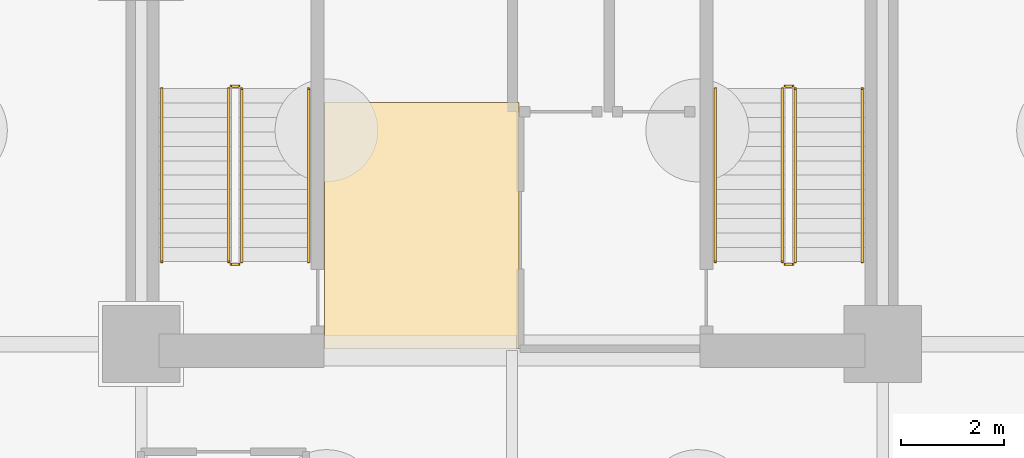
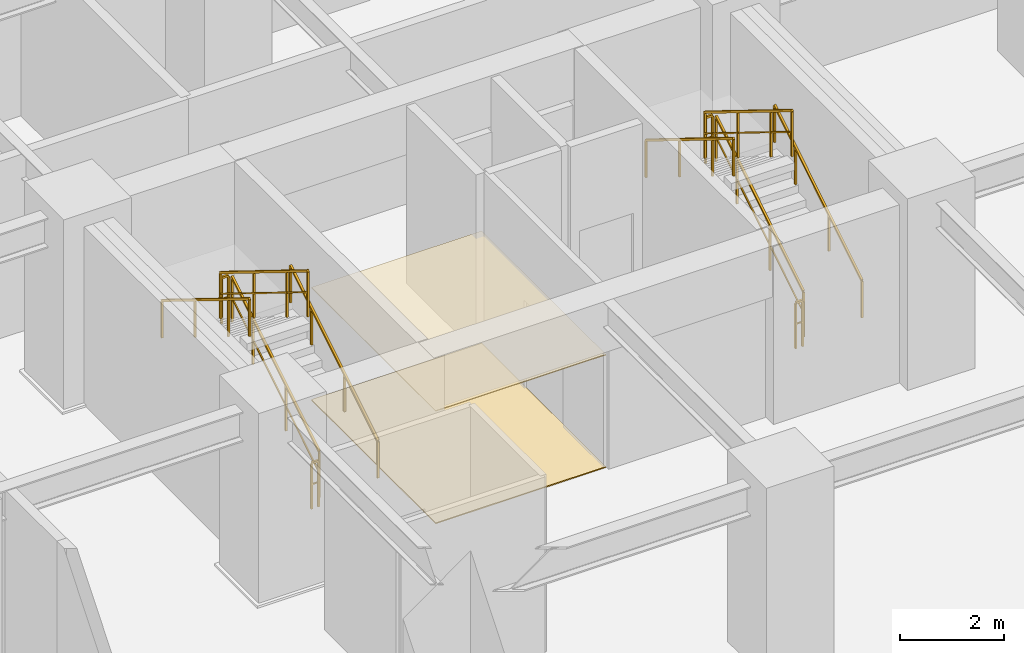
# One storey, part 11 of 11: 12 railings, 2 coverings.
"""IFC4 building model written with IfcOpenShell, lengths in metres."""

from ifc_helpers import new_model, si_unit, direction, frame, origin, origin_2d, place, context, subcontext, project, spatial, rectangle, extrude, source, transform, mapped, material, layer, layer_set, type_object, element, save


model = new_model("IFC4")

# Units and contexts
model_context = context("Model", 3, precision=1e-05, world=origin(), true_north=direction((0.0, 1.0)))
body_context = subcontext(model_context, "Body", "Model", "MODEL_VIEW")
ifc_project = project(units=[si_unit("LENGTHUNIT", "METRE"), si_unit("AREAUNIT", "SQUARE_METRE"), si_unit("VOLUMEUNIT", "CUBIC_METRE"), si_unit("PLANEANGLEUNIT", "RADIAN"), si_unit("MASSUNIT", "GRAM", prefix="KILO")], contexts=[model_context])

# Site, building, storey
site_placement = place(None, origin())
site = spatial("IfcSite", under=ifc_project, at=site_placement, CompositionType="ELEMENT")
building_placement = place(site_placement, origin())
building = spatial("IfcBuilding", under=site, at=building_placement, Name="Kaliganga Portal Commons", CompositionType="ELEMENT")
storey_placement = place(building_placement, frame((0.0, 0.0, -9.0)))
storey = spatial("IfcBuildingStorey", under=building, at=storey_placement, Name="B2", CompositionType="ELEMENT", Elevation=-9.0)

# Railings
ifc_material_1 = material(Name="Galvanized Painted Steel Balustrade", Category="steel")
railing_type_1 = type_object("IfcRailingType", Name="RLG-STAIR-GRD", PredefinedType="GUARDRAIL", material=ifc_material_1)
railing_1_placement = place(storey_placement, frame((16.35009765625, 30.25, 0.173095703125)))
element("IfcRailing", 1, at=railing_1_placement, inside=storey, type_object=railing_type_1, Name="B2 ST-A1 stair guard 1", PredefinedType="GUARDRAIL", context=body_context, shape_type="SweptSolid", body=[
    extrude(rectangle(XDim=0.048095703125, YDim=0.048095703125, at=origin_2d()), frame((0.0, 0.0, 1.07177734375), z_axis=(0.0, 0.850623216509, 0.525775754039), x_axis=(-1.0, 0.0, 0.0)), (0.0, 0.0, 1.0), 3.9501953125),
    extrude(rectangle(XDim=0.028076171875, YDim=0.028076171875, at=origin_2d()), frame((0.0, 0.0, 0.572021484375), z_axis=(0.0, 0.850623216509, 0.525775754039), x_axis=(-1.0, 0.0, 0.0)), (0.0, 0.0, 1.0), 3.9501953125),
    extrude(rectangle(XDim=0.0419921875, YDim=0.0419921875, at=origin_2d()), origin(), (0.0, 0.0, 1.0), 1.052001953125),
    extrude(rectangle(XDim=0.0419921875, YDim=0.0419921875, at=origin_2d()), frame((0.0, 1.27587890625, 0.78857421875)), (0.0, 0.0, 1.0), 1.052001953125),
    extrude(rectangle(XDim=0.0419921875, YDim=0.0419921875, at=origin_2d()), frame((0.0, 2.5517578125, 1.577392578125)), (0.0, 0.0, 1.0), 1.052001953125),
    extrude(rectangle(XDim=0.0419921875, YDim=0.0419921875, at=origin_2d()), frame((0.0, 3.360107421875, 2.076904296875)), (0.0, 0.0, 1.0), 1.052001953125),
])
railing_2_placement = place(storey_placement, frame((16.300048828125, 33.659912109375, 2.25)))
element("IfcRailing", 2, at=railing_2_placement, inside=storey, type_object=railing_type_1, Name="B2 ST-A1 stair guard 2", PredefinedType="GUARDRAIL", context=body_context, shape_type="SweptSolid", body=[
    extrude(rectangle(XDim=0.048095703125, YDim=0.048095703125, at=origin_2d()), frame((0.0, 0.0, 1.076171875), z_axis=(-1.0, 0.0, 0.0), x_axis=(0.0, -1.0, 0.0)), (0.0, 0.0, 1.0), 0.150146484375),
    extrude(rectangle(XDim=0.028076171875, YDim=0.028076171875, at=origin_2d()), frame((0.0, 0.0, 0.572021484375), z_axis=(-1.0, 0.0, 0.0), x_axis=(0.0, -1.0, 0.0)), (0.0, 0.0, 1.0), 0.150146484375),
    extrude(rectangle(XDim=0.0419921875, YDim=0.0419921875, at=origin_2d()), origin(), (0.0, 0.0, 1.0), 1.052001953125),
    extrude(rectangle(XDim=0.0419921875, YDim=0.0419921875, at=origin_2d()), frame((-0.150146484375, 0.0, 0.0)), (0.0, 0.0, 1.0), 1.052001953125),
])
railing_3_placement = place(storey_placement, frame((16.10009765625, 33.610107421875, 2.423095703125)))
element("IfcRailing", 3, at=railing_3_placement, inside=storey, type_object=railing_type_1, Name="B2 ST-A1 stair guard 3", PredefinedType="GUARDRAIL", context=body_context, shape_type="SweptSolid", body=[
    extrude(rectangle(XDim=0.048095703125, YDim=0.048095703125, at=origin_2d()), frame((0.0, 0.0, 1.07177734375), z_axis=(0.0, -0.850623216509, 0.525775754039), x_axis=(1.0, 0.0, 0.0)), (0.0, 0.0, 1.0), 3.9501953125),
    extrude(rectangle(XDim=0.028076171875, YDim=0.028076171875, at=origin_2d()), frame((0.0, 0.0, 0.572021484375), z_axis=(0.0, -0.850623216509, 0.525775754039), x_axis=(1.0, 0.0, 0.0)), (0.0, 0.0, 1.0), 3.9501953125),
    extrude(rectangle(XDim=0.0419921875, YDim=0.0419921875, at=origin_2d()), origin(), (0.0, 0.0, 1.0), 1.052001953125),
    extrude(rectangle(XDim=0.0419921875, YDim=0.0419921875, at=origin_2d()), frame((0.0, -1.27587890625, 0.78857421875)), (0.0, 0.0, 1.0), 1.052001953125),
    extrude(rectangle(XDim=0.0419921875, YDim=0.0419921875, at=origin_2d()), frame((0.0, -2.5517578125, 1.577392578125)), (0.0, 0.0, 1.0), 1.052001953125),
    extrude(rectangle(XDim=0.0419921875, YDim=0.0419921875, at=origin_2d()), frame((0.0, -3.360107421875, 2.076904296875)), (0.0, 0.0, 1.0), 1.052001953125),
])
railing_4_placement = place(storey_placement, frame((16.300048828125, 30.199951171875, 0.0)))
element("IfcRailing", 4, at=railing_4_placement, inside=storey, type_object=railing_type_1, Name="B2 ST-A1 stair guard 4", PredefinedType="GUARDRAIL", context=body_context, shape_type="SweptSolid", body=[
    extrude(rectangle(XDim=0.048095703125, YDim=0.048095703125, at=origin_2d()), frame((0.0, 0.0, 1.076171875), z_axis=(-1.0, 0.0, 0.0), x_axis=(0.0, -1.0, 0.0)), (0.0, 0.0, 1.0), 0.150146484375),
    extrude(rectangle(XDim=0.028076171875, YDim=0.028076171875, at=origin_2d()), frame((0.0, 0.0, 0.572021484375), z_axis=(-1.0, 0.0, 0.0), x_axis=(0.0, -1.0, 0.0)), (0.0, 0.0, 1.0), 0.150146484375),
    extrude(rectangle(XDim=0.0419921875, YDim=0.0419921875, at=origin_2d()), origin(), (0.0, 0.0, 1.0), 1.052001953125),
    extrude(rectangle(XDim=0.0419921875, YDim=0.0419921875, at=origin_2d()), frame((-0.150146484375, 0.0, 0.0)), (0.0, 0.0, 1.0), 1.052001953125),
])
railing_5_placement = place(storey_placement, frame((27.10009765625, 30.25, 0.173095703125)))
element("IfcRailing", 5, at=railing_5_placement, inside=storey, type_object=railing_type_1, Name="B2 ST-A2 stair guard 1", PredefinedType="GUARDRAIL", context=body_context, shape_type="SweptSolid", body=[
    extrude(rectangle(XDim=0.048095703125, YDim=0.048095703125, at=origin_2d()), frame((0.0, 0.0, 1.07177734375), z_axis=(0.0, 0.850623216509, 0.525775754039), x_axis=(-1.0, 0.0, 0.0)), (0.0, 0.0, 1.0), 3.9501953125),
    extrude(rectangle(XDim=0.028076171875, YDim=0.028076171875, at=origin_2d()), frame((0.0, 0.0, 0.572021484375), z_axis=(0.0, 0.850623216509, 0.525775754039), x_axis=(-1.0, 0.0, 0.0)), (0.0, 0.0, 1.0), 3.9501953125),
    extrude(rectangle(XDim=0.0419921875, YDim=0.0419921875, at=origin_2d()), origin(), (0.0, 0.0, 1.0), 1.052001953125),
    extrude(rectangle(XDim=0.0419921875, YDim=0.0419921875, at=origin_2d()), frame((0.0, 1.27587890625, 0.78857421875)), (0.0, 0.0, 1.0), 1.052001953125),
    extrude(rectangle(XDim=0.0419921875, YDim=0.0419921875, at=origin_2d()), frame((0.0, 2.5517578125, 1.577392578125)), (0.0, 0.0, 1.0), 1.052001953125),
    extrude(rectangle(XDim=0.0419921875, YDim=0.0419921875, at=origin_2d()), frame((0.0, 3.360107421875, 2.076904296875)), (0.0, 0.0, 1.0), 1.052001953125),
])
railing_6_placement = place(storey_placement, frame((27.050048828125, 33.659912109375, 2.25)))
element("IfcRailing", 6, at=railing_6_placement, inside=storey, type_object=railing_type_1, Name="B2 ST-A2 stair guard 2", PredefinedType="GUARDRAIL", context=body_context, shape_type="SweptSolid", body=[
    extrude(rectangle(XDim=0.048095703125, YDim=0.048095703125, at=origin_2d()), frame((0.0, 0.0, 1.076171875), z_axis=(-1.0, 0.0, 0.0), x_axis=(0.0, -1.0, 0.0)), (0.0, 0.0, 1.0), 0.150146484375),
    extrude(rectangle(XDim=0.028076171875, YDim=0.028076171875, at=origin_2d()), frame((0.0, 0.0, 0.572021484375), z_axis=(-1.0, 0.0, 0.0), x_axis=(0.0, -1.0, 0.0)), (0.0, 0.0, 1.0), 0.150146484375),
    extrude(rectangle(XDim=0.0419921875, YDim=0.0419921875, at=origin_2d()), origin(), (0.0, 0.0, 1.0), 1.052001953125),
    extrude(rectangle(XDim=0.0419921875, YDim=0.0419921875, at=origin_2d()), frame((-0.150146484375, 0.0, 0.0)), (0.0, 0.0, 1.0), 1.052001953125),
])
railing_7_placement = place(storey_placement, frame((26.85009765625, 33.610107421875, 2.423095703125)))
element("IfcRailing", 7, at=railing_7_placement, inside=storey, type_object=railing_type_1, Name="B2 ST-A2 stair guard 3", PredefinedType="GUARDRAIL", context=body_context, shape_type="SweptSolid", body=[
    extrude(rectangle(XDim=0.048095703125, YDim=0.048095703125, at=origin_2d()), frame((0.0, 0.0, 1.07177734375), z_axis=(0.0, -0.850623216509, 0.525775754039), x_axis=(1.0, 0.0, 0.0)), (0.0, 0.0, 1.0), 3.9501953125),
    extrude(rectangle(XDim=0.028076171875, YDim=0.028076171875, at=origin_2d()), frame((0.0, 0.0, 0.572021484375), z_axis=(0.0, -0.850623216509, 0.525775754039), x_axis=(1.0, 0.0, 0.0)), (0.0, 0.0, 1.0), 3.9501953125),
    extrude(rectangle(XDim=0.0419921875, YDim=0.0419921875, at=origin_2d()), origin(), (0.0, 0.0, 1.0), 1.052001953125),
    extrude(rectangle(XDim=0.0419921875, YDim=0.0419921875, at=origin_2d()), frame((0.0, -1.27587890625, 0.78857421875)), (0.0, 0.0, 1.0), 1.052001953125),
    extrude(rectangle(XDim=0.0419921875, YDim=0.0419921875, at=origin_2d()), frame((0.0, -2.5517578125, 1.577392578125)), (0.0, 0.0, 1.0), 1.052001953125),
    extrude(rectangle(XDim=0.0419921875, YDim=0.0419921875, at=origin_2d()), frame((0.0, -3.360107421875, 2.076904296875)), (0.0, 0.0, 1.0), 1.052001953125),
])
railing_8_placement = place(storey_placement, frame((27.050048828125, 30.199951171875, 0.0)))
element("IfcRailing", 8, at=railing_8_placement, inside=storey, type_object=railing_type_1, Name="B2 ST-A2 stair guard 4", PredefinedType="GUARDRAIL", context=body_context, shape_type="SweptSolid", body=[
    extrude(rectangle(XDim=0.048095703125, YDim=0.048095703125, at=origin_2d()), frame((0.0, 0.0, 1.076171875), z_axis=(-1.0, 0.0, 0.0), x_axis=(0.0, -1.0, 0.0)), (0.0, 0.0, 1.0), 0.150146484375),
    extrude(rectangle(XDim=0.028076171875, YDim=0.028076171875, at=origin_2d()), frame((0.0, 0.0, 0.572021484375), z_axis=(-1.0, 0.0, 0.0), x_axis=(0.0, -1.0, 0.0)), (0.0, 0.0, 1.0), 0.150146484375),
    extrude(rectangle(XDim=0.0419921875, YDim=0.0419921875, at=origin_2d()), origin(), (0.0, 0.0, 1.0), 1.052001953125),
    extrude(rectangle(XDim=0.0419921875, YDim=0.0419921875, at=origin_2d()), frame((-0.150146484375, 0.0, 0.0)), (0.0, 0.0, 1.0), 1.052001953125),
])
ifc_material_2 = material(Name="Brushed Stainless Steel 316", Category="steel")
railing_type_2 = type_object("IfcRailingType", Name="RLG-STAIR-HR", PredefinedType="HANDRAIL", material=ifc_material_2)
railing_9_placement = place(storey_placement, frame((17.64990234375, 30.25, 0.173095703125)))
element("IfcRailing", 9, at=railing_9_placement, inside=storey, type_object=railing_type_2, Name="B2 ST-A1 stair handrail 1", PredefinedType="HANDRAIL", context=body_context, shape_type="SweptSolid", body=[
    extrude(rectangle(XDim=0.048095703125, YDim=0.048095703125, at=origin_2d()), frame((0.0, 0.0, 0.87158203125), z_axis=(0.0, 0.850623216509, 0.525775754039), x_axis=(-1.0, 0.0, 0.0)), (0.0, 0.0, 1.0), 3.9501953125),
    extrude(rectangle(XDim=0.0419921875, YDim=0.0419921875, at=origin_2d()), origin(), (0.0, 0.0, 1.0), 0.851806640625),
    extrude(rectangle(XDim=0.0419921875, YDim=0.0419921875, at=origin_2d()), frame((0.0, 1.27587890625, 0.78857421875)), (0.0, 0.0, 1.0), 0.851806640625),
    extrude(rectangle(XDim=0.0419921875, YDim=0.0419921875, at=origin_2d()), frame((0.0, 2.5517578125, 1.577392578125)), (0.0, 0.0, 1.0), 0.851806640625),
    extrude(rectangle(XDim=0.0419921875, YDim=0.0419921875, at=origin_2d()), frame((0.0, 3.360107421875, 2.076904296875)), (0.0, 0.0, 1.0), 0.851806640625),
])
railing_10_placement = place(storey_placement, frame((14.800048828125, 33.610107421875, 2.423095703125)))
element("IfcRailing", 10, at=railing_10_placement, inside=storey, type_object=railing_type_2, Name="B2 ST-A1 stair handrail 2", PredefinedType="HANDRAIL", context=body_context, shape_type="SweptSolid", body=[
    extrude(rectangle(XDim=0.048095703125, YDim=0.048095703125, at=origin_2d()), frame((0.0, 0.0, 0.87158203125), z_axis=(0.0, -0.850623216509, 0.525775754039), x_axis=(1.0, 0.0, 0.0)), (0.0, 0.0, 1.0), 3.9501953125),
    extrude(rectangle(XDim=0.0419921875, YDim=0.0419921875, at=origin_2d()), origin(), (0.0, 0.0, 1.0), 0.851806640625),
    extrude(rectangle(XDim=0.0419921875, YDim=0.0419921875, at=origin_2d()), frame((0.0, -1.27587890625, 0.78857421875)), (0.0, 0.0, 1.0), 0.851806640625),
    extrude(rectangle(XDim=0.0419921875, YDim=0.0419921875, at=origin_2d()), frame((0.0, -2.5517578125, 1.577392578125)), (0.0, 0.0, 1.0), 0.851806640625),
    extrude(rectangle(XDim=0.0419921875, YDim=0.0419921875, at=origin_2d()), frame((0.0, -3.360107421875, 2.076904296875)), (0.0, 0.0, 1.0), 0.851806640625),
])
railing_11_placement = place(storey_placement, frame((28.39990234375, 30.25, 0.173095703125)))
element("IfcRailing", 11, at=railing_11_placement, inside=storey, type_object=railing_type_2, Name="B2 ST-A2 stair handrail 1", PredefinedType="HANDRAIL", context=body_context, shape_type="SweptSolid", body=[
    extrude(rectangle(XDim=0.048095703125, YDim=0.048095703125, at=origin_2d()), frame((0.0, 0.0, 0.87158203125), z_axis=(0.0, 0.850623216509, 0.525775754039), x_axis=(-1.0, 0.0, 0.0)), (0.0, 0.0, 1.0), 3.9501953125),
    extrude(rectangle(XDim=0.0419921875, YDim=0.0419921875, at=origin_2d()), origin(), (0.0, 0.0, 1.0), 0.851806640625),
    extrude(rectangle(XDim=0.0419921875, YDim=0.0419921875, at=origin_2d()), frame((0.0, 1.27587890625, 0.78857421875)), (0.0, 0.0, 1.0), 0.851806640625),
    extrude(rectangle(XDim=0.0419921875, YDim=0.0419921875, at=origin_2d()), frame((0.0, 2.5517578125, 1.577392578125)), (0.0, 0.0, 1.0), 0.851806640625),
    extrude(rectangle(XDim=0.0419921875, YDim=0.0419921875, at=origin_2d()), frame((0.0, 3.360107421875, 2.076904296875)), (0.0, 0.0, 1.0), 0.851806640625),
])
railing_12_placement = place(storey_placement, frame((25.550048828125, 33.610107421875, 2.423095703125)))
element("IfcRailing", 12, at=railing_12_placement, inside=storey, type_object=railing_type_2, Name="B2 ST-A2 stair handrail 2", PredefinedType="HANDRAIL", context=body_context, shape_type="SweptSolid", body=[
    extrude(rectangle(XDim=0.048095703125, YDim=0.048095703125, at=origin_2d()), frame((0.0, 0.0, 0.87158203125), z_axis=(0.0, -0.850623216509, 0.525775754039), x_axis=(1.0, 0.0, 0.0)), (0.0, 0.0, 1.0), 3.9501953125),
    extrude(rectangle(XDim=0.0419921875, YDim=0.0419921875, at=origin_2d()), origin(), (0.0, 0.0, 1.0), 0.851806640625),
    extrude(rectangle(XDim=0.0419921875, YDim=0.0419921875, at=origin_2d()), frame((0.0, -1.27587890625, 0.78857421875)), (0.0, 0.0, 1.0), 0.851806640625),
    extrude(rectangle(XDim=0.0419921875, YDim=0.0419921875, at=origin_2d()), frame((0.0, -2.5517578125, 1.577392578125)), (0.0, 0.0, 1.0), 0.851806640625),
    extrude(rectangle(XDim=0.0419921875, YDim=0.0419921875, at=origin_2d()), frame((0.0, -3.360107421875, 2.076904296875)), (0.0, 0.0, 1.0), 0.851806640625),
])

# Coverings
ifc_material_3 = material(Name="Acoustic Micro-Perforated Gypsum Ceiling", Category="gypsum")
ifc_layer_1 = layer(ifc_material_3, 0.02001953125)
ifc_layer_set_1 = layer_set([ifc_layer_1], Name="Acoustic Micro-Perforated Gypsum Ceiling")
covering_type_1 = type_object("IfcCoveringType", Name="COV-CEIL-GYP", PredefinedType="CEILING", material=ifc_layer_set_1)
shared_shape_1 = source(origin(), body_context, "Body", "SweptSolid", [
    extrude(rectangle(XDim=3.780029296875, YDim=4.780029296875, at=origin_2d()), origin(), (0.0, 0.0, 1.0), 0.02001953125),
])
covering_1_placement = place(storey_placement, frame((19.85009765625, 30.949951171875, 2.639892578125), z_axis=(0.0, 0.0, 1.0), x_axis=(1.0, 0.0, 0.0)))
element("IfcCovering", 13, at=covering_1_placement, inside=storey, type_object=covering_type_1, Name="Acoustic Ceiling B2 PLOB_A", PredefinedType="CEILING", context=body_context, shape_type="MappedRepresentation", body=[
    mapped(shared_shape_1, transform((0.0, 0.0, 0.0), x_axis=(1.0, 0.0, 0.0), y_axis=(0.0, 1.0, 0.0), z_axis=(0.0, 0.0, 1.0), scale=1.0)),
])
ifc_material_4 = material(Name="Polished Sylhet Stone Terrazzo Flooring", Category="masonry")
ifc_layer_2 = layer(ifc_material_4, 0.02490234375)
ifc_layer_set_2 = layer_set([ifc_layer_2], Name="Polished Sylhet Stone Terrazzo Flooring")
covering_type_2 = type_object("IfcCoveringType", Name="COV-FLR-TERRAZZO", PredefinedType="FLOORING", material=ifc_layer_set_2)
shared_shape_2 = source(origin(), body_context, "Body", "SweptSolid", [
    extrude(rectangle(XDim=3.780029296875, YDim=4.780029296875, at=origin_2d()), origin(), (0.0, 0.0, 1.0), 0.02490234375),
])
covering_2_placement = place(storey_placement, frame((19.85009765625, 30.949951171875, 0.00048828125), z_axis=(0.0, 0.0, 1.0), x_axis=(1.0, 0.0, 0.0)))
element("IfcCovering", 14, at=covering_2_placement, inside=storey, type_object=covering_type_2, Name="Terrazzo Flooring B2 PLOB_A", PredefinedType="FLOORING", context=body_context, shape_type="MappedRepresentation", body=[
    mapped(shared_shape_2, transform((0.0, 0.0, 0.0), x_axis=(1.0, 0.0, 0.0), y_axis=(0.0, 1.0, 0.0), z_axis=(0.0, 0.0, 1.0), scale=1.0)),
])

save(model, "model.ifc")
